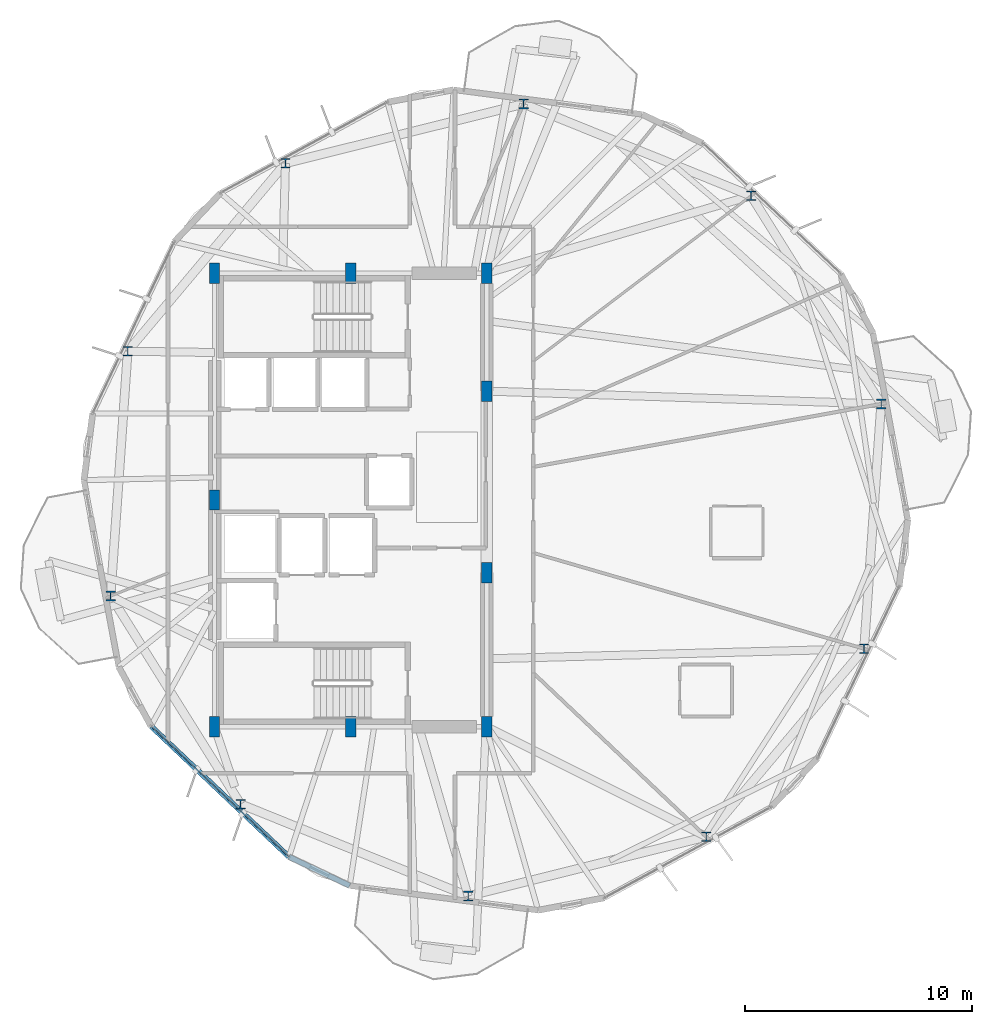
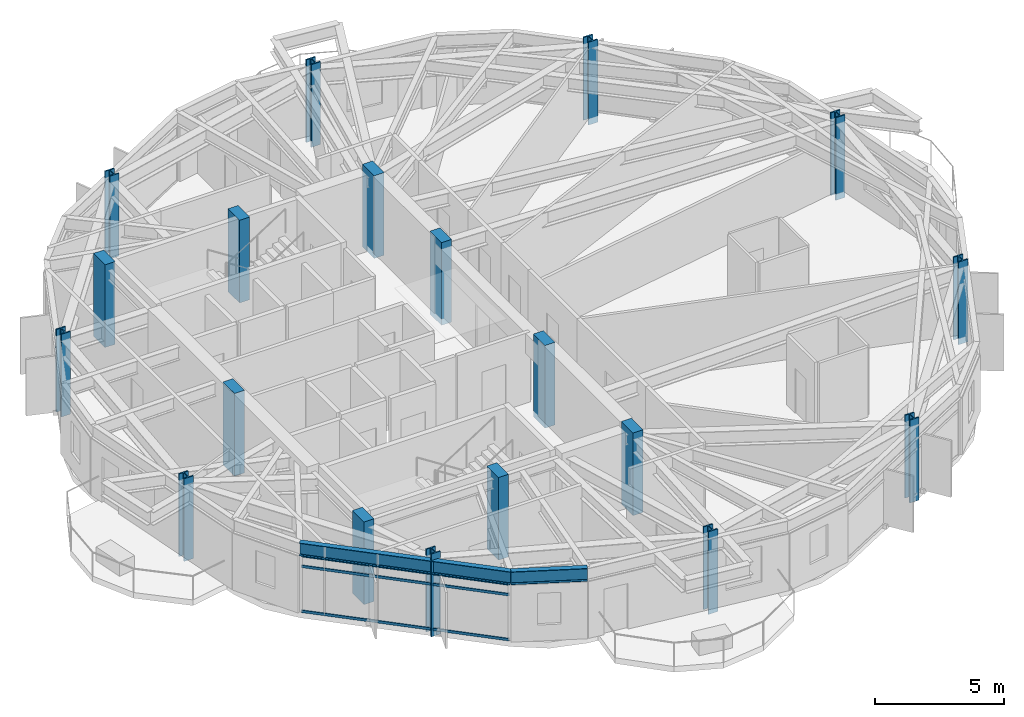
# One storey, part 1 of 23: 19 columns, 3 members, 2 beams, 1 element without a shape of its own.
"""IFC4 building model written with IfcOpenShell, lengths in metres."""

from ifc_helpers import new_model, si_unit, direction, frame, origin, origin_2d, place, context, subcontext, project, spatial, rectangle, hollow_rectangle, i_section, extrude, material, layer, layer_set, material_profile, profile_set, type_object, element, aggregate, save


model = new_model("IFC4")

# Units and contexts
model_context = context("Model", 3, precision=1e-05, world=origin(), true_north=direction((0.0, 1.0)))
body_context = subcontext(model_context, "Body", "Model", "MODEL_VIEW")
ifc_project = project(units=[si_unit("LENGTHUNIT", "METRE"), si_unit("AREAUNIT", "SQUARE_METRE"), si_unit("VOLUMEUNIT", "CUBIC_METRE"), si_unit("PLANEANGLEUNIT", "RADIAN"), si_unit("MASSUNIT", "GRAM", prefix="KILO")], contexts=[model_context])

# Site, building, storey
site_placement = place(None, origin())
site = spatial("IfcSite", under=ifc_project, at=site_placement, CompositionType="ELEMENT")
building_placement = place(site_placement, origin())
building = spatial("IfcBuilding", under=site, at=building_placement, Name="Soratama Intermodal Tower", CompositionType="ELEMENT")
storey_placement = place(building_placement, frame((0.0, 0.0, 139.0)))
storey = spatial("IfcBuildingStorey", under=building, at=storey_placement, Name="L33", CompositionType="ELEMENT", Elevation=139.0)

# Columns
ifc_material_1 = material(Name="Structural steel ASTM A992 Grade 50", Category="steel")
ifc_material_profile_1 = material_profile(ifc_material_1, i_section(OverallWidth=0.412109375, OverallDepth=0.43505859375, WebThickness=0.035888671875, FlangeThickness=0.057373046875, FilletRadius=0.0380859375, at=origin_2d()), Name="W14X311")
ifc_profile_set_1 = profile_set([ifc_material_profile_1], Name="Structural steel ASTM A992 Grade 50")
column_type_1 = type_object("IfcColumnType", Name="COL-ZC-W14X311", PredefinedType="COLUMN", material=ifc_profile_set_1)
for number, where, z_axis, x_axis, name in (
    (1, (61.980224609375, 29.233642578125, -0.300048828125), (0.0, 0.0, 1.0), (1.0, 0.0, 0.0), "L33 Tower Ring Column R01"),
    (2, (56.248779296875, 38.40576171875, -0.300048828125), (0.0, 0.0, 1.0), (1.0, 0.0, 0.0), "L33 Tower Ring Column R02"),
    (3, (46.220703125, 42.45751953125, -0.300048828125), (0.0, 0.0, 1.0), (1.0, 0.0, 0.0), "L33 Tower Ring Column R03"),
    (4, (35.726318359375, 39.8408203125, -0.300048828125), (0.0, 0.0, 1.0), (1.0, 0.0, 0.0), "L33 Tower Ring Column R04"),
    (5, (28.7744140625, 31.5556640625, -0.300048828125), (0.0, 0.0, 1.0), (1.0, 0.0, 0.0), "L33 Tower Ring Column R05"),
    (6, (28.019775390625, 20.766357421875, -0.300048828125), (0.0, 0.0, 1.0), (1.0, 0.0, 0.0), "L33 Tower Ring Column R06"),
    (7, (33.751220703125, 11.59423828125, -0.300048828125), (0.0, 0.0, 1.0), (1.0, 0.0, 0.0), "L33 Tower Ring Column R07"),
    (8, (43.779296875, 7.54248046875, -0.300048828125), (0.0, 0.0, 1.0), (1.0, 0.0, 0.0), "L33 Tower Ring Column R08"),
    (9, (54.273681640625, 10.1591796875, -0.300048828125), (0.0, 0.0, 1.0), (1.0, 0.0, 0.0), "L33 Tower Ring Column R09"),
    (10, (61.2255859375, 18.4443359375, -0.300048828125), (0.0, 0.0, 1.0), (1.0, 0.0, 0.0), "L33 Tower Ring Column R10"),
):
    element("IfcColumn", number, at=place(storey_placement, frame(where, z_axis=z_axis, x_axis=x_axis)), inside=storey, type_object=column_type_1, Name=name, PredefinedType="COLUMN", context=body_context, shape_type="SweptSolid", body=[
        extrude(i_section(OverallWidth=0.412109375, OverallDepth=0.43505859375, WebThickness=0.035888671875, FlangeThickness=0.057373046875, FilletRadius=0.0380859375, at=origin_2d()), origin(), (0.0, 0.0, 1.0), 3.900146484375),
    ])
ifc_material_2 = material(Name="Concrete f'c 56 MPa", Category="concrete")
ifc_material_profile_2 = material_profile(ifc_material_2, rectangle(XDim=0.449951171875, YDim=0.89990234375, at=origin_2d()), Name="RC450X900")
ifc_profile_set_2 = profile_set([ifc_material_profile_2], Name="Concrete f'c 56 MPa")
column_type_2 = type_object("IfcColumnType", Name="PIL-CORE-450X900", PredefinedType="PILASTER", material=ifc_profile_set_2)
for number, where, z_axis, x_axis, name in (
    (11, (32.60009765625, 15.0, -0.300048828125), (0.0, 0.0, 1.0), (1.0, 0.0, 0.0), "L33 Core Pilaster 1"),
    (12, (32.60009765625, 25.0, -0.300048828125), (0.0, 0.0, 1.0), (1.0, 0.0, 0.0), "L33 Core Pilaster 2"),
    (13, (32.60009765625, 35.0, -0.300048828125), (0.0, 0.0, 1.0), (1.0, 0.0, 0.0), "L33 Core Pilaster 3"),
    (14, (38.60009765625, 15.0, -0.300048828125), (0.0, 0.0, 1.0), (1.0, 0.0, 0.0), "L33 Core Pilaster 4"),
    (15, (38.60009765625, 35.0, -0.300048828125), (0.0, 0.0, 1.0), (1.0, 0.0, 0.0), "L33 Core Pilaster 5"),
    (16, (44.60009765625, 15.0, -0.300048828125), (0.0, 0.0, 1.0), (1.0, 0.0, 0.0), "L33 Core Pilaster 6"),
    (17, (44.60009765625, 21.800048828125, -0.300048828125), (0.0, 0.0, 1.0), (1.0, 0.0, 0.0), "L33 Core Pilaster 7"),
    (18, (44.60009765625, 29.800048828125, -0.300048828125), (0.0, 0.0, 1.0), (1.0, 0.0, 0.0), "L33 Core Pilaster 8"),
    (19, (44.60009765625, 35.0, -0.300048828125), (0.0, 0.0, 1.0), (1.0, 0.0, 0.0), "L33 Core Pilaster 9"),
):
    element("IfcColumn", number, at=place(storey_placement, frame(where, z_axis=z_axis, x_axis=x_axis)), inside=storey, type_object=column_type_2, Name=name, PredefinedType="PILASTER", context=body_context, shape_type="SweptSolid", body=[
        extrude(rectangle(XDim=0.449951171875, YDim=0.89990234375, at=origin_2d()), origin(), (0.0, 0.0, 1.0), 3.900146484375),
    ])

# Beams
ifc_material_3 = material(Name="Structural steel ASTM A992 Grade 50", Category="steel")
ifc_material_profile_3 = material_profile(ifc_material_3, i_section(OverallWidth=0.22900390625, OverallDepth=0.612060546875, WebThickness=0.011962890625, FlangeThickness=0.01953125, FilletRadius=0.012939453125, at=origin_2d()), Name="W24X84")
ifc_profile_set_3 = profile_set([ifc_material_profile_3], Name="Structural steel ASTM A992 Grade 50")
beam_type = type_object("IfcBeamType", Name="BM-SPN-W24X84", PredefinedType="SPANDREL", material=ifc_profile_set_3)
beam_1_placement = place(storey_placement, frame((29.7958984375, 15.034912109375, 2.993896484375), z_axis=(0.726124993636, -0.687562719769, 0.0), x_axis=(0.687562719769, 0.726124993636, 0.0)))
element("IfcBeam", 20, at=beam_1_placement, inside=storey, type_object=beam_type, Name="BS-L33-F06", PredefinedType="SPANDREL", context=body_context, shape_type="SweptSolid", body=[
    extrude(i_section(OverallWidth=0.22900390625, OverallDepth=0.612060546875, WebThickness=0.011962890625, FlangeThickness=0.01953125, FilletRadius=0.012939453125, at=origin_2d()), origin(), (0.0, 0.0, 1.0), 8.3759765625),
])
beam_2_placement = place(storey_placement, frame((35.8779296875, 9.27587890625, 2.993896484375), z_axis=(0.903091622806, -0.429447925618, 0.0), x_axis=(0.429447925618, 0.903091622806, 0.0)))
element("IfcBeam", 21, at=beam_2_placement, inside=storey, type_object=beam_type, Name="BS-L33-CRN06", PredefinedType="SPANDREL", context=body_context, shape_type="SweptSolid", body=[
    extrude(i_section(OverallWidth=0.22900390625, OverallDepth=0.612060546875, WebThickness=0.011962890625, FlangeThickness=0.01953125, FilletRadius=0.012939453125, at=origin_2d()), origin(), (0.0, 0.0, 1.0), 2.96630859375),
])

# Curtain wall, members
ifc_material_4 = material(Name="Double-glazed aluminium curtain wall", Category="aluminium")
ifc_layer = layer(ifc_material_4, 0.159912109375)
ifc_layer_set = layer_set([ifc_layer], Name="Double-glazed aluminium curtain wall")
curtain_wall_type = type_object("IfcCurtainWallType", Name="CW-SYS-4", PredefinedType="NOTDEFINED", material=ifc_layer_set)
curtain_wall_placement = place(storey_placement, origin())
curtain_wall = element("IfcCurtainWall", 22, at=curtain_wall_placement, inside=storey, type_object=curtain_wall_type, Name="L33 Faceted Curtain Wall F06", PredefinedType="NOTDEFINED")
ifc_material_5 = material(Name="Anodised aluminium AA 6063-T6", Category="aluminium")
ifc_material_profile_4 = material_profile(ifc_material_5, hollow_rectangle(XDim=0.06005859375, YDim=0.1298828125, WallThickness=0.0048828125, InnerFilletRadius=0.0048828125, OuterFilletRadius=0.010009765625, at=origin_2d()), Name="CWT130X60X5")
ifc_profile_set_4 = profile_set([ifc_material_profile_4], Name="Anodised aluminium AA 6063-T6")
member_type = type_object("IfcMemberType", Name="TT-CWT-2", PredefinedType="USERDEFINED", material=ifc_profile_set_4)
member_1_placement = place(storey_placement, frame((29.83935546875, 14.994140625, 0.030029296875), z_axis=(0.726094864085, -0.687594537754, 0.0), x_axis=(0.687594537754, 0.726094864085, 0.0)))
member_1 = element("IfcMember", 23, at=member_1_placement, type_object=member_type, Name="CW-4 transom 1.1", ObjectType="TRANSOM", PredefinedType="USERDEFINED", context=body_context, shape_type="SweptSolid", body=[
    extrude(hollow_rectangle(XDim=0.06005859375, YDim=0.1298828125, WallThickness=0.0048828125, InnerFilletRadius=0.0048828125, OuterFilletRadius=0.010009765625, at=origin_2d()), origin(), (0.0, 0.0, 1.0), 8.25634765625),
])
member_2_placement = place(storey_placement, frame((29.83935546875, 14.994140625, 2.14990234375), z_axis=(0.726094864085, -0.687594537754, 0.0), x_axis=(0.687594537754, 0.726094864085, 0.0)))
member_2 = element("IfcMember", 24, at=member_2_placement, type_object=member_type, Name="CW-4 transom 1.2", ObjectType="TRANSOM", PredefinedType="USERDEFINED", context=body_context, shape_type="SweptSolid", body=[
    extrude(hollow_rectangle(XDim=0.06005859375, YDim=0.1298828125, WallThickness=0.0048828125, InnerFilletRadius=0.0048828125, OuterFilletRadius=0.010009765625, at=origin_2d()), origin(), (0.0, 0.0, 1.0), 8.25634765625),
])
member_3_placement = place(storey_placement, frame((29.83935546875, 14.994140625, 2.64892578125), z_axis=(0.726094864085, -0.687594537754, 0.0), x_axis=(0.687594537754, 0.726094864085, 0.0)))
member_3 = element("IfcMember", 25, at=member_3_placement, type_object=member_type, Name="CW-4 transom 1.3", ObjectType="TRANSOM", PredefinedType="USERDEFINED", context=body_context, shape_type="SweptSolid", body=[
    extrude(hollow_rectangle(XDim=0.06005859375, YDim=0.1298828125, WallThickness=0.0048828125, InnerFilletRadius=0.0048828125, OuterFilletRadius=0.010009765625, at=origin_2d()), origin(), (0.0, 0.0, 1.0), 8.25634765625),
])
aggregate(curtain_wall, [member_1, member_2, member_3])

save(model, "model.ifc")
